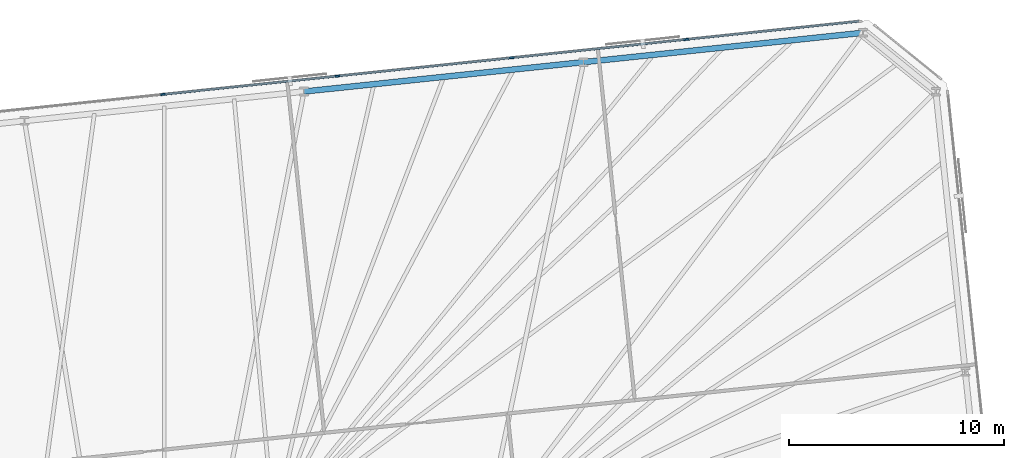
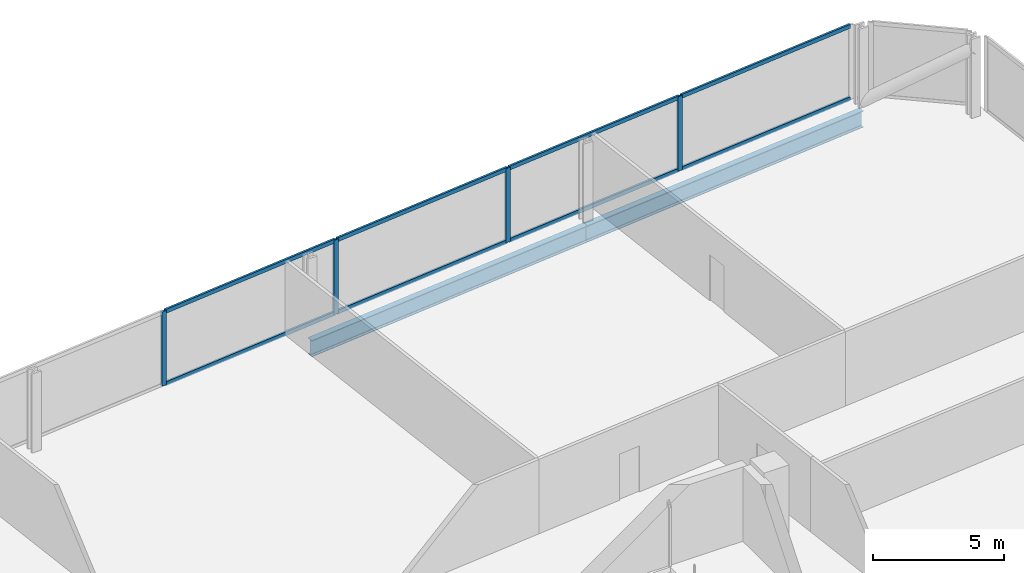
# One storey, part 11 of 18: 12 members, 2 beams, 1 element without a shape of its own.
"""IFC4 building model written with IfcOpenShell, lengths in metres."""

from ifc_helpers import new_model, si_unit, direction, frame, origin, origin_2d, place, context, subcontext, project, spatial, rectangle, i_section, extrude, material, material_profile, profile_set, type_object, element, aggregate, save


model = new_model("IFC4")

# Units and contexts
model_context = context("Model", 3, precision=1e-05, world=origin(), true_north=direction((0.0, 1.0)))
body_context = subcontext(model_context, "Body", "Model", "MODEL_VIEW")
ifc_project = project(units=[si_unit("LENGTHUNIT", "METRE"), si_unit("AREAUNIT", "SQUARE_METRE"), si_unit("VOLUMEUNIT", "CUBIC_METRE"), si_unit("PLANEANGLEUNIT", "RADIAN"), si_unit("MASSUNIT", "GRAM", prefix="KILO")], contexts=[model_context])

# Site, building, storey
site_placement = place(None, origin())
site = spatial("IfcSite", under=ifc_project, at=site_placement, CompositionType="ELEMENT")
building_placement = place(site_placement, origin())
building = spatial("IfcBuilding", under=site, at=building_placement, Name="Menara Jurai Vektor", CompositionType="ELEMENT")
storey_placement = place(building_placement, frame((0.0, 0.0, 117.0)))
storey = spatial("IfcBuildingStorey", under=building, at=storey_placement, Name="L29", CompositionType="ELEMENT", Elevation=117.0)

# Curtain wall, members
ifc_material_1 = material(Name="Anodised Pale Aluminium & Low-E Double Glazing", Category="aluminium")
curtain_wall_type = type_object("IfcCurtainWallType", Name="CW-BLK2", PredefinedType="NOTDEFINED", material=ifc_material_1)
curtain_wall_placement = place(storey_placement, origin())
curtain_wall = element("IfcCurtainWall", 1, at=curtain_wall_placement, inside=storey, type_object=curtain_wall_type, Name="Unitised Curtain Wall L29 F05", PredefinedType="NOTDEFINED")
ifc_material_2 = material(Name="Anodised Pale Aluminium Mullion", Category="aluminium")
ifc_material_profile_1 = material_profile(ifc_material_2, rectangle(XDim=0.090087890625, YDim=0.219970703125, at=origin_2d()), Name="ALU MUL 90x220")
ifc_profile_set_1 = profile_set([ifc_material_profile_1], Name="Anodised Pale Aluminium Mullion")
member_type_1 = type_object("IfcMemberType", Name="CW-BLK2-MUL", PredefinedType="MULLION", material=ifc_profile_set_1)
member_1_placement = place(storey_placement, frame((24.663330078125, 28.075927734375, 0.0), z_axis=(0.0, 0.0, 1.0), x_axis=(0.104528634935, -0.994521877325, 0.0)))
member_1 = element("IfcMember", 2, at=member_1_placement, type_object=member_type_1, Name="CW-02 mullion 2", PredefinedType="MULLION", context=body_context, shape_type="SweptSolid", body=[
    extrude(rectangle(XDim=0.090087890625, YDim=0.219970703125, at=origin_2d()), origin(), (0.0, 0.0, 1.0), 3.47509765625),
])
member_2_placement = place(storey_placement, frame((16.5654296875, 27.224853515625, 0.0), z_axis=(0.0, 0.0, 1.0), x_axis=(0.104528634935, -0.994521877325, 0.0)))
member_2 = element("IfcMember", 3, at=member_2_placement, type_object=member_type_1, Name="CW-02 mullion 3", PredefinedType="MULLION", context=body_context, shape_type="SweptSolid", body=[
    extrude(rectangle(XDim=0.090087890625, YDim=0.219970703125, at=origin_2d()), origin(), (0.0, 0.0, 1.0), 3.47509765625),
])
member_3_placement = place(storey_placement, frame((8.467529296875, 26.373779296875, 0.0), z_axis=(0.0, 0.0, 1.0), x_axis=(0.104528634935, -0.994521877325, 0.0)))
member_3 = element("IfcMember", 4, at=member_3_placement, type_object=member_type_1, Name="CW-02 mullion 4", PredefinedType="MULLION", context=body_context, shape_type="SweptSolid", body=[
    extrude(rectangle(XDim=0.090087890625, YDim=0.219970703125, at=origin_2d()), origin(), (0.0, 0.0, 1.0), 3.47509765625),
])
member_4_placement = place(storey_placement, frame((0.36962890625, 25.522705078125, 0.0), z_axis=(0.0, 0.0, 1.0), x_axis=(0.104528634935, -0.994521877325, 0.0)))
member_4 = element("IfcMember", 5, at=member_4_placement, type_object=member_type_1, Name="CW-02 mullion 5", PredefinedType="MULLION", context=body_context, shape_type="SweptSolid", body=[
    extrude(rectangle(XDim=0.090087890625, YDim=0.219970703125, at=origin_2d()), origin(), (0.0, 0.0, 1.0), 3.47509765625),
])
ifc_material_3 = material(Name="Anodised Pale Aluminium Transom", Category="aluminium")
ifc_material_profile_2 = material_profile(ifc_material_3, rectangle(XDim=0.090087890625, YDim=0.18505859375, at=origin_2d()), Name="ALU TRN 90x185")
ifc_profile_set_2 = profile_set([ifc_material_profile_2], Name="Anodised Pale Aluminium Transom")
member_type_2 = type_object("IfcMemberType", Name="CW-BLK2-TRN", PredefinedType="USERDEFINED", material=ifc_profile_set_2)
member_5_placement = place(storey_placement, frame((32.671875, 28.917724609375, 0.044921875), z_axis=(-0.994519977808, -0.104546706027, 0.0), x_axis=(0.104546706027, -0.994519977808, 0.0)))
member_5 = element("IfcMember", 6, at=member_5_placement, type_object=member_type_2, Name="CW-02 transom 1.1", ObjectType="TRANSOM", PredefinedType="USERDEFINED", context=body_context, shape_type="SweptSolid", body=[
    extrude(rectangle(XDim=0.090087890625, YDim=0.18505859375, at=origin_2d()), origin(), (0.0, 0.0, 1.0), 8.007568359375),
])
member_6_placement = place(storey_placement, frame((32.671875, 28.917724609375, 3.429931640625), z_axis=(-0.994519977808, -0.104546706027, 0.0), x_axis=(0.104546706027, -0.994519977808, 0.0)))
member_6 = element("IfcMember", 7, at=member_6_placement, type_object=member_type_2, Name="CW-02 transom 1.2", ObjectType="TRANSOM", PredefinedType="USERDEFINED", context=body_context, shape_type="SweptSolid", body=[
    extrude(rectangle(XDim=0.090087890625, YDim=0.18505859375, at=origin_2d()), origin(), (0.0, 0.0, 1.0), 8.007568359375),
])
member_7_placement = place(storey_placement, frame((24.61865234375, 28.0712890625, 0.044921875), z_axis=(-0.994520726373, -0.10453958492, 0.0), x_axis=(0.10453958492, -0.994520726373, 0.0)))
member_7 = element("IfcMember", 8, at=member_7_placement, type_object=member_type_2, Name="CW-02 transom 2.1", ObjectType="TRANSOM", PredefinedType="USERDEFINED", context=body_context, shape_type="SweptSolid", body=[
    extrude(rectangle(XDim=0.090087890625, YDim=0.18505859375, at=origin_2d()), origin(), (0.0, 0.0, 1.0), 8.052490234375),
])
member_8_placement = place(storey_placement, frame((24.61865234375, 28.0712890625, 3.429931640625), z_axis=(-0.994520726373, -0.10453958492, 0.0), x_axis=(0.10453958492, -0.994520726373, 0.0)))
member_8 = element("IfcMember", 9, at=member_8_placement, type_object=member_type_2, Name="CW-02 transom 2.2", ObjectType="TRANSOM", PredefinedType="USERDEFINED", context=body_context, shape_type="SweptSolid", body=[
    extrude(rectangle(XDim=0.090087890625, YDim=0.18505859375, at=origin_2d()), origin(), (0.0, 0.0, 1.0), 8.052490234375),
])
member_9_placement = place(storey_placement, frame((16.520751953125, 27.22021484375, 0.044921875), z_axis=(-0.994520726373, -0.10453958492, 0.0), x_axis=(0.10453958492, -0.994520726373, 0.0)))
member_9 = element("IfcMember", 10, at=member_9_placement, type_object=member_type_2, Name="CW-02 transom 3.1", ObjectType="TRANSOM", PredefinedType="USERDEFINED", context=body_context, shape_type="SweptSolid", body=[
    extrude(rectangle(XDim=0.090087890625, YDim=0.18505859375, at=origin_2d()), origin(), (0.0, 0.0, 1.0), 8.052490234375),
])
member_10_placement = place(storey_placement, frame((16.520751953125, 27.22021484375, 3.429931640625), z_axis=(-0.994520726373, -0.10453958492, 0.0), x_axis=(0.10453958492, -0.994520726373, 0.0)))
member_10 = element("IfcMember", 11, at=member_10_placement, type_object=member_type_2, Name="CW-02 transom 3.2", ObjectType="TRANSOM", PredefinedType="USERDEFINED", context=body_context, shape_type="SweptSolid", body=[
    extrude(rectangle(XDim=0.090087890625, YDim=0.18505859375, at=origin_2d()), origin(), (0.0, 0.0, 1.0), 8.052490234375),
])
member_11_placement = place(storey_placement, frame((8.4228515625, 26.369140625, 0.044921875), z_axis=(-0.994520726373, -0.10453958492, 0.0), x_axis=(0.10453958492, -0.994520726373, 0.0)))
member_11 = element("IfcMember", 12, at=member_11_placement, type_object=member_type_2, Name="CW-02 transom 4.1", ObjectType="TRANSOM", PredefinedType="USERDEFINED", context=body_context, shape_type="SweptSolid", body=[
    extrude(rectangle(XDim=0.090087890625, YDim=0.18505859375, at=origin_2d()), origin(), (0.0, 0.0, 1.0), 8.052490234375),
])
member_12_placement = place(storey_placement, frame((8.4228515625, 26.369140625, 3.429931640625), z_axis=(-0.994520726373, -0.10453958492, 0.0), x_axis=(0.10453958492, -0.994520726373, 0.0)))
member_12 = element("IfcMember", 13, at=member_12_placement, type_object=member_type_2, Name="CW-02 transom 4.2", ObjectType="TRANSOM", PredefinedType="USERDEFINED", context=body_context, shape_type="SweptSolid", body=[
    extrude(rectangle(XDim=0.090087890625, YDim=0.18505859375, at=origin_2d()), origin(), (0.0, 0.0, 1.0), 8.052490234375),
])
aggregate(curtain_wall, [member_1, member_2, member_3, member_4, member_5, member_6, member_7, member_8, member_9, member_10, member_11, member_12])

# Beams
ifc_material_4 = material(Name="Steel S460", Category="steel")
ifc_material_profile_3 = material_profile(ifc_material_4, i_section(OverallWidth=0.26806640625, OverallDepth=0.77001953125, WebThickness=0.01611328125, FlangeThickness=0.02490234375, FilletRadius=0.01708984375, at=origin_2d()), Name="UKB 762x267x197")
ifc_profile_set_3 = profile_set([ifc_material_profile_3], Name="Steel S460")
beam_type = type_object("IfcBeamType", Name="STR-SP-762", PredefinedType="SPANDREL", material=ifc_profile_set_3)
beam_1_placement = place(storey_placement, frame((32.876220703125, 28.38623046875, -0.610107421875), z_axis=(-0.994521431679, -0.104532874882, 0.0), x_axis=(0.104532874882, -0.994521431679, 0.0)))
element("IfcBeam", 14, at=beam_1_placement, inside=storey, type_object=beam_type, Name="Exoskeleton Spandrel Beam L29-11", PredefinedType="SPANDREL", context=body_context, shape_type="SweptSolid", body=[
    extrude(i_section(OverallWidth=0.26806640625, OverallDepth=0.77001953125, WebThickness=0.01611328125, FlangeThickness=0.02490234375, FilletRadius=0.01708984375, at=origin_2d()), origin(), (0.0, 0.0, 1.0), 13.051025390625),
])
beam_2_placement = place(storey_placement, frame((19.896728515625, 27.02197265625, -0.610107421875), z_axis=(-0.994521636083, -0.104530930169, 0.0), x_axis=(0.104530930169, -0.994521636083, 0.0)))
element("IfcBeam", 15, at=beam_2_placement, inside=storey, type_object=beam_type, Name="Exoskeleton Spandrel Beam L29-12", PredefinedType="SPANDREL", context=body_context, shape_type="SweptSolid", body=[
    extrude(i_section(OverallWidth=0.26806640625, OverallDepth=0.77001953125, WebThickness=0.01611328125, FlangeThickness=0.02490234375, FilletRadius=0.01708984375, at=origin_2d()), origin(), (0.0, 0.0, 1.0), 13.05126953125),
])

save(model, "model.ifc")
